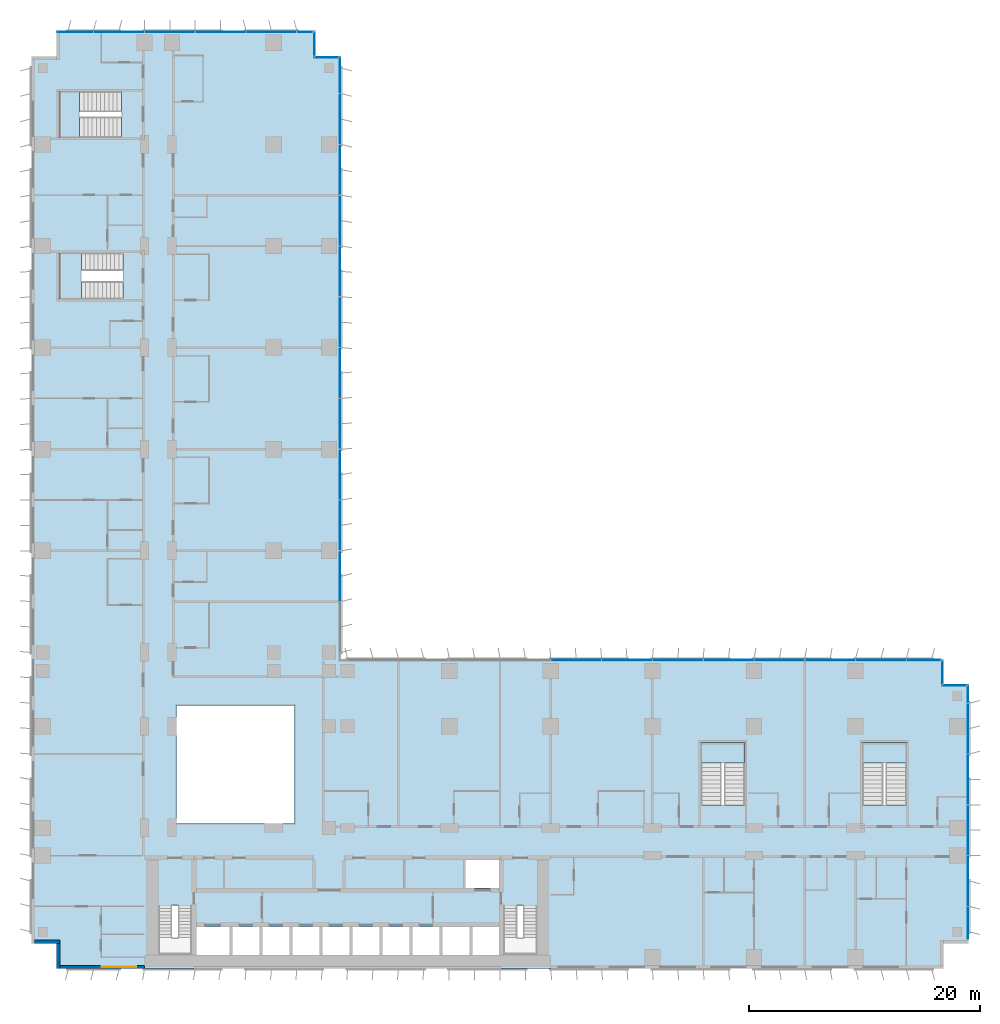
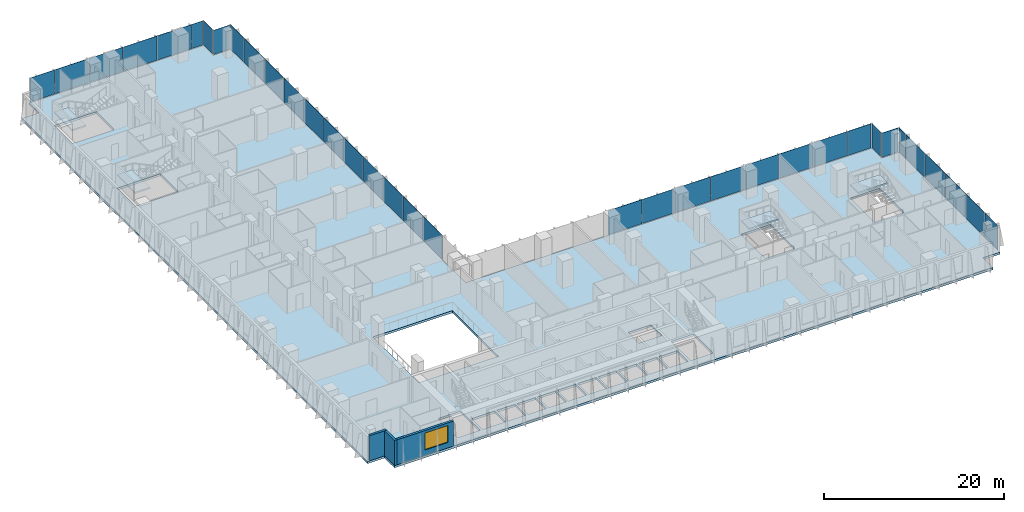
# One storey, part 11 of 24: 35 plates, 5 slabs, 3 walls, 1 window, 1 opening, 12 elements without a shape of their own.
"""IFC4 building model written with IfcOpenShell, lengths in metres."""

from ifc_helpers import new_model, si_unit, direction, frame, frame_2d, origin, origin_2d, place, context, subcontext, project, spatial, polyline, rectangle, outline, extrude, source, transform, mapped, material, layer, layer_set, type_object, element, fill, aggregate, save


model = new_model("IFC4")

# Units and contexts
model_context = context("Model", 3, precision=1e-05, world=origin(), true_north=direction((0.0, 1.0)))
body_context = subcontext(model_context, "Body", "Model", "MODEL_VIEW")
ifc_project = project(units=[si_unit("LENGTHUNIT", "METRE"), si_unit("AREAUNIT", "SQUARE_METRE"), si_unit("VOLUMEUNIT", "CUBIC_METRE"), si_unit("PLANEANGLEUNIT", "RADIAN"), si_unit("MASSUNIT", "GRAM", prefix="KILO")], contexts=[model_context])

# Site, building, storey
site_placement = place(None, origin())
site = spatial("IfcSite", under=ifc_project, at=site_placement, CompositionType="ELEMENT")
building_placement = place(site_placement, origin())
building = spatial("IfcBuilding", under=site, at=building_placement, Name="Kemantara Hotel Tower", CompositionType="ELEMENT")
storey_placement = place(building_placement, frame((0.0, 0.0, 76.0)))
storey = spatial("IfcBuildingStorey", under=building, at=storey_placement, Name="L17", CompositionType="ELEMENT", Elevation=76.0)

# Slab
ifc_material_1 = material(Name="Concrete fc 40 MPa", Category="concrete")
ifc_layer_1 = layer(ifc_material_1, 0.300048828125)
ifc_layer_set_1 = layer_set([ifc_layer_1], Name="Concrete fc 40 MPa")
slab_type_1 = type_object("IfcSlabType", Name="POST-TENSIONED FLAT PLATE 300", PredefinedType="FLOOR", material=ifc_layer_set_1)
slab_1_placement = place(storey_placement, frame((0.0, 0.0, -0.300048828125)))
element("IfcSlab", 1, at=slab_1_placement, inside=storey, type_object=slab_type_1, Name="FLOOR SLAB L17", PredefinedType="FLOOR", context=body_context, shape_type="SweptSolid", body=[
    extrude(outline(polyline([(0.0, 2.199951171875), (2.199951171875, 2.199951171875), (2.199951171875, 0.0), (79.0, 0.0), (79.0, 2.199951171875), (81.199951171875, 2.199951171875), (81.199951171875, 24.60009765625), (79.0, 24.60009765625), (79.0, 26.800048828125), (26.800048828125, 26.800048828125), (26.800048828125, 79.0), (24.60009765625, 79.0), (24.60009765625, 81.199951171875), (2.199951171875, 81.199951171875), (2.199951171875, 79.0), (0.0, 79.0), (0.0, 2.199951171875)]), holes=[polyline([(17.175048828125, 1.199951171875), (14.22509765625, 1.199951171875), (14.22509765625, 3.60009765625), (17.175048828125, 3.60009765625), (17.175048828125, 1.199951171875)]), polyline([(19.77490234375, 1.199951171875), (17.425048828125, 1.199951171875), (17.425048828125, 3.60009765625), (19.77490234375, 3.60009765625), (19.77490234375, 1.199951171875)]), polyline([(22.375, 1.199951171875), (20.02490234375, 1.199951171875), (20.02490234375, 3.60009765625), (22.375, 3.60009765625), (22.375, 1.199951171875)]), polyline([(24.97509765625, 1.199951171875), (22.625, 1.199951171875), (22.625, 3.60009765625), (24.97509765625, 3.60009765625), (24.97509765625, 1.199951171875)]), polyline([(27.574951171875, 1.199951171875), (25.22509765625, 1.199951171875), (25.22509765625, 3.60009765625), (27.574951171875, 3.60009765625), (27.574951171875, 1.199951171875)]), polyline([(11.0, 1.199951171875), (11.0, 5.49951171875), (13.89990234375, 5.49951171875), (13.89990234375, 1.199951171875), (11.0, 1.199951171875)]), polyline([(22.800048828125, 12.60009765625), (12.60009765625, 12.60009765625), (12.60009765625, 22.800048828125), (22.800048828125, 22.800048828125), (22.800048828125, 12.60009765625)]), polyline([(7.949462890625, 62.0), (7.949462890625, 58.0), (2.39990234375, 58.0), (2.39990234375, 62.0), (7.949462890625, 62.0)]), polyline([(7.79931640625, 76.0), (7.79931640625, 72.0), (2.39990234375, 72.0), (2.39990234375, 76.0), (7.79931640625, 76.0)]), polyline([(30.175048828125, 1.199951171875), (27.824951171875, 1.199951171875), (27.824951171875, 3.60009765625), (30.175048828125, 3.60009765625), (30.175048828125, 1.199951171875)]), polyline([(32.77490234375, 1.199951171875), (30.425048828125, 1.199951171875), (30.425048828125, 3.60009765625), (32.77490234375, 3.60009765625), (32.77490234375, 1.199951171875)]), polyline([(35.375, 1.199951171875), (33.02490234375, 1.199951171875), (33.02490234375, 3.60009765625), (35.375, 3.60009765625), (35.375, 1.199951171875)]), polyline([(37.97509765625, 1.199951171875), (35.625, 1.199951171875), (35.625, 3.60009765625), (37.97509765625, 3.60009765625), (37.97509765625, 1.199951171875)]), polyline([(40.574951171875, 1.199951171875), (38.22509765625, 1.199951171875), (38.22509765625, 3.60009765625), (40.574951171875, 3.60009765625), (40.574951171875, 1.199951171875)]), polyline([(40.89990234375, 1.199951171875), (40.89990234375, 5.49951171875), (43.800048828125, 5.49951171875), (43.800048828125, 1.199951171875), (40.89990234375, 1.199951171875)]), polyline([(40.574951171875, 7.0), (37.625, 7.0), (37.625, 9.39990234375), (40.574951171875, 9.39990234375), (40.574951171875, 7.0)]), polyline([(61.800048828125, 14.20068359375), (58.0, 14.20068359375), (58.0, 19.60009765625), (61.800048828125, 19.60009765625), (61.800048828125, 14.20068359375)]), polyline([(75.800048828125, 14.20068359375), (72.0, 14.20068359375), (72.0, 19.60009765625), (75.800048828125, 19.60009765625), (75.800048828125, 14.20068359375)])]), origin(), (0.0, 0.0, 1.0), 0.300048828125),
])

# Stair, slab
stair_type_1 = type_object("IfcStairType", Name="Stair 1800 wide 22 risers of 168 x 360 mm", PredefinedType="HALF_TURN_STAIR", material=ifc_material_1)
stair_1_placement = place(storey_placement, origin())
stair_1 = element("IfcStair", 2, at=stair_1_placement, inside=storey, type_object=stair_type_1, Name="L17 Exit stair ST3", PredefinedType="HALF_TURN_STAIR")
ifc_layer_2 = layer(ifc_material_1, 0.199951171875)
ifc_layer_set_2 = layer_set([ifc_layer_2], Name="Concrete fc 40 MPa")
slab_type_2 = type_object("IfcSlabType", Name="Stair landing 200 mm", PredefinedType="LANDING", material=ifc_layer_set_2)
slab_2_placement = place(storey_placement, frame((0.0, 0.0, 1.64990234375)))
slab_2 = element("IfcSlab", 3, at=slab_2_placement, type_object=slab_type_2, Name="ST3 landing 1", PredefinedType="LANDING", context=body_context, shape_type="SweptSolid", body=[
    extrude(outline(polyline([(61.800048828125, 17.800048828125), (61.800048828125, 19.60009765625), (58.0, 19.60009765625), (58.0, 17.800048828125), (61.800048828125, 17.800048828125)])), origin(), (0.0, 0.0, 1.0), 0.2001953125),
])
aggregate(stair_1, [slab_2])

stair_type_2 = type_object("IfcStairType", Name="Stair 1550 wide 22 risers of 168 x 360 mm", PredefinedType="HALF_TURN_STAIR", material=ifc_material_1)
stair_2_placement = place(storey_placement, origin())
stair_2 = element("IfcStair", 4, at=stair_2_placement, inside=storey, type_object=stair_type_2, Name="L17 Exit stair ST4", PredefinedType="HALF_TURN_STAIR")
slab_3_placement = place(storey_placement, frame((0.0, 0.0, 1.64990234375)))
slab_3 = element("IfcSlab", 5, at=slab_3_placement, type_object=slab_type_2, Name="ST4 landing 1", PredefinedType="LANDING", context=body_context, shape_type="SweptSolid", body=[
    extrude(outline(polyline([(4.35009765625, 62.0), (2.39990234375, 62.0), (2.39990234375, 58.0), (4.35009765625, 58.0), (4.35009765625, 62.0)])), origin(), (0.0, 0.0, 1.0), 0.2001953125),
])
aggregate(stair_2, [slab_3])

stair_3_placement = place(storey_placement, origin())
stair_3 = element("IfcStair", 6, at=stair_3_placement, inside=storey, type_object=stair_type_1, Name="L17 Exit stair ST5", PredefinedType="HALF_TURN_STAIR")
slab_4_placement = place(storey_placement, frame((0.0, 0.0, 1.64990234375)))
slab_4 = element("IfcSlab", 7, at=slab_4_placement, type_object=slab_type_2, Name="ST5 landing 1", PredefinedType="LANDING", context=body_context, shape_type="SweptSolid", body=[
    extrude(outline(polyline([(75.800048828125, 17.800048828125), (75.800048828125, 19.60009765625), (72.0, 19.60009765625), (72.0, 17.800048828125), (75.800048828125, 17.800048828125)])), origin(), (0.0, 0.0, 1.0), 0.2001953125),
])
aggregate(stair_3, [slab_4])

stair_4_placement = place(storey_placement, origin())
stair_4 = element("IfcStair", 8, at=stair_4_placement, inside=storey, type_object=stair_type_1, Name="L17 Exit stair ST6", PredefinedType="HALF_TURN_STAIR")
slab_5_placement = place(storey_placement, frame((0.0, 0.0, 1.64990234375)))
slab_5 = element("IfcSlab", 9, at=slab_5_placement, type_object=slab_type_2, Name="ST6 landing 1", PredefinedType="LANDING", context=body_context, shape_type="SweptSolid", body=[
    extrude(outline(polyline([(4.199951171875, 76.0), (2.39990234375, 76.0), (2.39990234375, 72.0), (4.199951171875, 72.0), (4.199951171875, 76.0)])), origin(), (0.0, 0.0, 1.0), 0.2001953125),
])
aggregate(stair_4, [slab_5])

# Curtain wall, plates
ifc_material_2 = material(Name="Low-E tinted double insulated glass 36 mm", Category="glass")
curtain_wall_type = type_object("IfcCurtainWallType", Name="TOWER CURTAIN WALL, FRONT FACES", PredefinedType="USERDEFINED", material=ifc_material_2)
curtain_wall_1_placement = place(storey_placement, origin())
curtain_wall_1 = element("IfcCurtainWall", 10, at=curtain_wall_1_placement, inside=storey, type_object=curtain_wall_type, Name="CW4 L17 T1-R04-1", ObjectType="TOWER CURTAIN WALL, FRONT FACES", PredefinedType="USERDEFINED")
ifc_layer_3 = layer(ifc_material_2, 0.035888671875)
ifc_layer_set_3 = layer_set([ifc_layer_3], Name="Low-E tinted double insulated glass 36 mm")
plate_type = type_object("IfcPlateType", Name="TOWER CURTAIN WALL, FRONT FACES PANEL", PredefinedType="CURTAIN_PANEL", material=ifc_layer_set_3)
shared_shape_1 = source(origin(), body_context, "Body", "SweptSolid", [
    extrude(rectangle(XDim=2.81005859375, YDim=0.035888671875, at=origin_2d()), origin(), (0.0, 0.0, 1.0), 3.280029296875),
])
plate_1_placement = place(storey_placement, frame((81.125, 3.965087890625, 0.1201171875), z_axis=(0.0, 0.0, 1.0), x_axis=(0.0, 1.0, 0.0)))
plate_1 = element("IfcPlate", 11, at=plate_1_placement, type_object=plate_type, Name="CW4 glass panel T1-R04-1.1", PredefinedType="CURTAIN_PANEL", context=body_context, shape_type="MappedRepresentation", body=[
    mapped(shared_shape_1, transform((0.0, 0.0, 0.0))),
])
shared_shape_2 = source(origin(), body_context, "Body", "SweptSolid", [
    extrude(rectangle(XDim=4.340087890625, YDim=0.035888671875, at=origin_2d()), origin(), (0.0, 0.0, 1.0), 3.280029296875),
])
plate_2_placement = place(storey_placement, frame((81.125, 7.60009765625, 0.1201171875), z_axis=(0.0, 0.0, 1.0), x_axis=(0.0, 1.0, 0.0)))
plate_2 = element("IfcPlate", 12, at=plate_2_placement, type_object=plate_type, Name="CW4 glass panel T1-R04-1.2", PredefinedType="CURTAIN_PANEL", context=body_context, shape_type="MappedRepresentation", body=[
    mapped(shared_shape_2, transform((0.0, 0.0, 0.0))),
])
plate_3_placement = place(storey_placement, frame((81.125, 12.0, 0.1201171875), z_axis=(0.0, 0.0, 1.0), x_axis=(0.0, 1.0, 0.0)))
plate_3 = element("IfcPlate", 13, at=plate_3_placement, type_object=plate_type, Name="CW4 glass panel T1-R04-1.3", PredefinedType="CURTAIN_PANEL", context=body_context, shape_type="MappedRepresentation", body=[
    mapped(shared_shape_2, transform((0.0, 0.0, 0.0))),
])
plate_4_placement = place(storey_placement, frame((81.125, 16.39990234375, 0.1201171875), z_axis=(0.0, 0.0, 1.0), x_axis=(0.0, 1.0, 0.0)))
plate_4 = element("IfcPlate", 14, at=plate_4_placement, type_object=plate_type, Name="CW4 glass panel T1-R04-1.4", PredefinedType="CURTAIN_PANEL", context=body_context, shape_type="MappedRepresentation", body=[
    mapped(shared_shape_2, transform((0.0, 0.0, 0.0))),
])
plate_5_placement = place(storey_placement, frame((81.125, 20.800048828125, 0.1201171875), z_axis=(0.0, 0.0, 1.0), x_axis=(0.0, 1.0, 0.0)))
plate_5 = element("IfcPlate", 15, at=plate_5_placement, type_object=plate_type, Name="CW4 glass panel T1-R04-1.5", PredefinedType="CURTAIN_PANEL", context=body_context, shape_type="MappedRepresentation", body=[
    mapped(shared_shape_2, transform((0.0, 0.0, 0.0))),
])

curtain_wall_2_placement = place(storey_placement, origin())
curtain_wall_2 = element("IfcCurtainWall", 16, at=curtain_wall_2_placement, inside=storey, type_object=curtain_wall_type, Name="CW4 L17 T1-R07-1", ObjectType="TOWER CURTAIN WALL, FRONT FACES", PredefinedType="USERDEFINED")
plate_6_placement = place(storey_placement, frame((73.60009765625, 26.72509765625, 0.1201171875), z_axis=(0.0, 0.0, 1.0), x_axis=(-1.0, 0.0, 0.0)))
plate_6 = element("IfcPlate", 17, at=plate_6_placement, type_object=plate_type, Name="CW4 glass panel T1-R07-1.2", PredefinedType="CURTAIN_PANEL", context=body_context, shape_type="MappedRepresentation", body=[
    mapped(shared_shape_2, transform((0.0, 0.0, 0.0))),
])
plate_7_placement = place(storey_placement, frame((69.199951171875, 26.72509765625, 0.1201171875), z_axis=(0.0, 0.0, 1.0), x_axis=(-1.0, 0.0, 0.0)))
plate_7 = element("IfcPlate", 18, at=plate_7_placement, type_object=plate_type, Name="CW4 glass panel T1-R07-1.3", PredefinedType="CURTAIN_PANEL", context=body_context, shape_type="MappedRepresentation", body=[
    mapped(shared_shape_2, transform((0.0, 0.0, 0.0))),
])
plate_8_placement = place(storey_placement, frame((64.800048828125, 26.72509765625, 0.1201171875), z_axis=(0.0, 0.0, 1.0), x_axis=(-1.0, 0.0, 0.0)))
plate_8 = element("IfcPlate", 19, at=plate_8_placement, type_object=plate_type, Name="CW4 glass panel T1-R07-1.4", PredefinedType="CURTAIN_PANEL", context=body_context, shape_type="MappedRepresentation", body=[
    mapped(shared_shape_2, transform((0.0, 0.0, 0.0))),
])
plate_9_placement = place(storey_placement, frame((60.39990234375, 26.72509765625, 0.1201171875), z_axis=(0.0, 0.0, 1.0), x_axis=(-1.0, 0.0, 0.0)))
plate_9 = element("IfcPlate", 20, at=plate_9_placement, type_object=plate_type, Name="CW4 glass panel T1-R07-1.5", PredefinedType="CURTAIN_PANEL", context=body_context, shape_type="MappedRepresentation", body=[
    mapped(shared_shape_2, transform((0.0, 0.0, 0.0))),
])
plate_10_placement = place(storey_placement, frame((56.0, 26.72509765625, 0.1201171875), z_axis=(0.0, 0.0, 1.0), x_axis=(-1.0, 0.0, 0.0)))
plate_10 = element("IfcPlate", 21, at=plate_10_placement, type_object=plate_type, Name="CW4 glass panel T1-R07-1.6", PredefinedType="CURTAIN_PANEL", context=body_context, shape_type="MappedRepresentation", body=[
    mapped(shared_shape_2, transform((0.0, 0.0, 0.0))),
])
plate_11_placement = place(storey_placement, frame((51.60009765625, 26.72509765625, 0.1201171875), z_axis=(0.0, 0.0, 1.0), x_axis=(-1.0, 0.0, 0.0)))
plate_11 = element("IfcPlate", 22, at=plate_11_placement, type_object=plate_type, Name="CW4 glass panel T1-R07-1.7", PredefinedType="CURTAIN_PANEL", context=body_context, shape_type="MappedRepresentation", body=[
    mapped(shared_shape_2, transform((0.0, 0.0, 0.0))),
])
plate_12_placement = place(storey_placement, frame((47.199951171875, 26.72509765625, 0.1201171875), z_axis=(0.0, 0.0, 1.0), x_axis=(-1.0, 0.0, 0.0)))
plate_12 = element("IfcPlate", 23, at=plate_12_placement, type_object=plate_type, Name="CW4 glass panel T1-R07-1.8", PredefinedType="CURTAIN_PANEL", context=body_context, shape_type="MappedRepresentation", body=[
    mapped(shared_shape_2, transform((0.0, 0.0, 0.0))),
])

curtain_wall_3_placement = place(storey_placement, origin())
curtain_wall_3 = element("IfcCurtainWall", 24, at=curtain_wall_3_placement, inside=storey, type_object=curtain_wall_type, Name="CW4 L17 T1-R08-1", ObjectType="TOWER CURTAIN WALL, FRONT FACES", PredefinedType="USERDEFINED")
plate_13_placement = place(storey_placement, frame((26.72509765625, 34.0, 0.1201171875), z_axis=(0.0, 0.0, 1.0), x_axis=(0.0, 1.0, 0.0)))
plate_13 = element("IfcPlate", 25, at=plate_13_placement, type_object=plate_type, Name="CW4 glass panel T1-R08-1.3", PredefinedType="CURTAIN_PANEL", context=body_context, shape_type="MappedRepresentation", body=[
    mapped(shared_shape_2, transform((0.0, 0.0, 0.0))),
])
plate_14_placement = place(storey_placement, frame((26.72509765625, 38.39990234375, 0.1201171875), z_axis=(0.0, 0.0, 1.0), x_axis=(0.0, 1.0, 0.0)))
plate_14 = element("IfcPlate", 26, at=plate_14_placement, type_object=plate_type, Name="CW4 glass panel T1-R08-1.4", PredefinedType="CURTAIN_PANEL", context=body_context, shape_type="MappedRepresentation", body=[
    mapped(shared_shape_2, transform((0.0, 0.0, 0.0))),
])
plate_15_placement = place(storey_placement, frame((26.72509765625, 42.800048828125, 0.1201171875), z_axis=(0.0, 0.0, 1.0), x_axis=(0.0, 1.0, 0.0)))
plate_15 = element("IfcPlate", 27, at=plate_15_placement, type_object=plate_type, Name="CW4 glass panel T1-R08-1.5", PredefinedType="CURTAIN_PANEL", context=body_context, shape_type="MappedRepresentation", body=[
    mapped(shared_shape_2, transform((0.0, 0.0, 0.0))),
])
plate_16_placement = place(storey_placement, frame((26.72509765625, 47.199951171875, 0.1201171875), z_axis=(0.0, 0.0, 1.0), x_axis=(0.0, 1.0, 0.0)))
plate_16 = element("IfcPlate", 28, at=plate_16_placement, type_object=plate_type, Name="CW4 glass panel T1-R08-1.6", PredefinedType="CURTAIN_PANEL", context=body_context, shape_type="MappedRepresentation", body=[
    mapped(shared_shape_2, transform((0.0, 0.0, 0.0))),
])
plate_17_placement = place(storey_placement, frame((26.72509765625, 51.60009765625, 0.1201171875), z_axis=(0.0, 0.0, 1.0), x_axis=(0.0, 1.0, 0.0)))
plate_17 = element("IfcPlate", 29, at=plate_17_placement, type_object=plate_type, Name="CW4 glass panel T1-R08-1.7", PredefinedType="CURTAIN_PANEL", context=body_context, shape_type="MappedRepresentation", body=[
    mapped(shared_shape_2, transform((0.0, 0.0, 0.0))),
])
plate_18_placement = place(storey_placement, frame((26.72509765625, 56.0, 0.1201171875), z_axis=(0.0, 0.0, 1.0), x_axis=(0.0, 1.0, 0.0)))
plate_18 = element("IfcPlate", 30, at=plate_18_placement, type_object=plate_type, Name="CW4 glass panel T1-R08-1.8", PredefinedType="CURTAIN_PANEL", context=body_context, shape_type="MappedRepresentation", body=[
    mapped(shared_shape_2, transform((0.0, 0.0, 0.0))),
])
plate_19_placement = place(storey_placement, frame((26.72509765625, 60.39990234375, 0.1201171875), z_axis=(0.0, 0.0, 1.0), x_axis=(0.0, 1.0, 0.0)))
plate_19 = element("IfcPlate", 31, at=plate_19_placement, type_object=plate_type, Name="CW4 glass panel T1-R08-1.9", PredefinedType="CURTAIN_PANEL", context=body_context, shape_type="MappedRepresentation", body=[
    mapped(shared_shape_2, transform((0.0, 0.0, 0.0))),
])
plate_20_placement = place(storey_placement, frame((26.72509765625, 64.800048828125, 0.1201171875), z_axis=(0.0, 0.0, 1.0), x_axis=(0.0, 1.0, 0.0)))
plate_20 = element("IfcPlate", 32, at=plate_20_placement, type_object=plate_type, Name="CW4 glass panel T1-R08-1.10", PredefinedType="CURTAIN_PANEL", context=body_context, shape_type="MappedRepresentation", body=[
    mapped(shared_shape_2, transform((0.0, 0.0, 0.0))),
])
plate_21_placement = place(storey_placement, frame((26.72509765625, 69.199951171875, 0.1201171875), z_axis=(0.0, 0.0, 1.0), x_axis=(0.0, 1.0, 0.0)))
plate_21 = element("IfcPlate", 33, at=plate_21_placement, type_object=plate_type, Name="CW4 glass panel T1-R08-1.11", PredefinedType="CURTAIN_PANEL", context=body_context, shape_type="MappedRepresentation", body=[
    mapped(shared_shape_2, transform((0.0, 0.0, 0.0))),
])
plate_22_placement = place(storey_placement, frame((26.72509765625, 73.60009765625, 0.1201171875), z_axis=(0.0, 0.0, 1.0), x_axis=(0.0, 1.0, 0.0)))
plate_22 = element("IfcPlate", 34, at=plate_22_placement, type_object=plate_type, Name="CW4 glass panel T1-R08-1.12", PredefinedType="CURTAIN_PANEL", context=body_context, shape_type="MappedRepresentation", body=[
    mapped(shared_shape_2, transform((0.0, 0.0, 0.0))),
])

curtain_wall_4_placement = place(storey_placement, origin())
curtain_wall_4 = element("IfcCurtainWall", 35, at=curtain_wall_4_placement, inside=storey, type_object=curtain_wall_type, Name="CW4 L17 T1-R11-1", ObjectType="TOWER CURTAIN WALL, FRONT FACES", PredefinedType="USERDEFINED")
plate_23_placement = place(storey_placement, frame((20.800048828125, 81.125, 0.1201171875), z_axis=(0.0, 0.0, 1.0), x_axis=(-1.0, 0.0, 0.0)))
plate_23 = element("IfcPlate", 36, at=plate_23_placement, type_object=plate_type, Name="CW4 glass panel T1-R11-1.2", PredefinedType="CURTAIN_PANEL", context=body_context, shape_type="MappedRepresentation", body=[
    mapped(shared_shape_2, transform((0.0, 0.0, 0.0))),
])
plate_24_placement = place(storey_placement, frame((16.39990234375, 81.125, 0.1201171875), z_axis=(0.0, 0.0, 1.0), x_axis=(-1.0, 0.0, 0.0)))
plate_24 = element("IfcPlate", 37, at=plate_24_placement, type_object=plate_type, Name="CW4 glass panel T1-R11-1.3", PredefinedType="CURTAIN_PANEL", context=body_context, shape_type="MappedRepresentation", body=[
    mapped(shared_shape_2, transform((0.0, 0.0, 0.0))),
])
plate_25_placement = place(storey_placement, frame((12.0, 81.125, 0.1201171875), z_axis=(0.0, 0.0, 1.0), x_axis=(-1.0, 0.0, 0.0)))
plate_25 = element("IfcPlate", 38, at=plate_25_placement, type_object=plate_type, Name="CW4 glass panel T1-R11-1.4", PredefinedType="CURTAIN_PANEL", context=body_context, shape_type="MappedRepresentation", body=[
    mapped(shared_shape_2, transform((0.0, 0.0, 0.0))),
])
plate_26_placement = place(storey_placement, frame((7.60009765625, 81.125, 0.1201171875), z_axis=(0.0, 0.0, 1.0), x_axis=(-1.0, 0.0, 0.0)))
plate_26 = element("IfcPlate", 39, at=plate_26_placement, type_object=plate_type, Name="CW4 glass panel T1-R11-1.5", PredefinedType="CURTAIN_PANEL", context=body_context, shape_type="MappedRepresentation", body=[
    mapped(shared_shape_2, transform((0.0, 0.0, 0.0))),
])

# Plate
shared_shape_3 = source(origin(), body_context, "Body", "SweptSolid", [
    extrude(rectangle(XDim=1.510009765625, YDim=0.035888671875, at=origin_2d()), origin(), (0.0, 0.0, 1.0), 3.280029296875),
])
plate_27_placement = place(storey_placement, frame((81.125, 23.784912109375, 0.1201171875), z_axis=(0.0, 0.0, 1.0), x_axis=(0.0, 1.0, 0.0)))
plate_27 = element("IfcPlate", 40, at=plate_27_placement, type_object=plate_type, Name="CW4 glass panel T1-R04-1.6", PredefinedType="CURTAIN_PANEL", context=body_context, shape_type="MappedRepresentation", body=[
    mapped(shared_shape_3, transform((0.0, 0.0, 0.0))),
])

aggregate(curtain_wall_1, [plate_1, plate_2, plate_3, plate_4, plate_5, plate_27])

shared_shape_4 = source(origin(), body_context, "Body", "SweptSolid", [
    extrude(rectangle(XDim=1.360107421875, YDim=0.035888671875, at=origin_2d()), origin(), (0.0, 0.0, 1.0), 3.280029296875),
])
plate_28_placement = place(storey_placement, frame((23.7099609375, 81.125, 0.1201171875), z_axis=(0.0, 0.0, 1.0), x_axis=(-1.0, 0.0, 0.0)))
plate_28 = element("IfcPlate", 41, at=plate_28_placement, type_object=plate_type, Name="CW4 glass panel T1-R11-1.1", PredefinedType="CURTAIN_PANEL", context=body_context, shape_type="MappedRepresentation", body=[
    mapped(shared_shape_4, transform((0.0, 0.0, 0.0))),
])

shared_shape_5 = source(origin(), body_context, "Body", "SweptSolid", [
    extrude(rectangle(XDim=3.110107421875, YDim=0.035888671875, at=origin_2d()), origin(), (0.0, 0.0, 1.0), 3.280029296875),
])
plate_29_placement = place(storey_placement, frame((26.72509765625, 77.385009765625, 0.1201171875), z_axis=(0.0, 0.0, 1.0), x_axis=(0.0, 1.0, 0.0)))
plate_29 = element("IfcPlate", 42, at=plate_29_placement, type_object=plate_type, Name="CW4 glass panel T1-R08-1.13", PredefinedType="CURTAIN_PANEL", context=body_context, shape_type="MappedRepresentation", body=[
    mapped(shared_shape_5, transform((0.0, 0.0, 0.0))),
])

aggregate(curtain_wall_3, [plate_13, plate_14, plate_15, plate_16, plate_17, plate_18, plate_19, plate_20, plate_21, plate_22, plate_29])

plate_30_placement = place(storey_placement, frame((3.81494140625, 81.125, 0.1201171875), z_axis=(0.0, 0.0, 1.0), x_axis=(-1.0, 0.0, 0.0)))
plate_30 = element("IfcPlate", 43, at=plate_30_placement, type_object=plate_type, Name="CW4 glass panel T1-R11-1.6", PredefinedType="CURTAIN_PANEL", context=body_context, shape_type="MappedRepresentation", body=[
    mapped(shared_shape_5, transform((0.0, 0.0, 0.0))),
])

aggregate(curtain_wall_4, [plate_28, plate_23, plate_24, plate_25, plate_26, plate_30])

# Curtain wall, plate
curtain_wall_5_placement = place(storey_placement, origin())
curtain_wall_5 = element("IfcCurtainWall", 44, at=curtain_wall_5_placement, inside=storey, type_object=curtain_wall_type, Name="CW4 L17 T1-R05-1", ObjectType="TOWER CURTAIN WALL, FRONT FACES", PredefinedType="USERDEFINED")
shared_shape_6 = source(origin(), body_context, "Body", "SweptSolid", [
    extrude(rectangle(XDim=2.080078125, YDim=0.035888671875, at=origin_2d()), origin(), (0.0, 0.0, 1.0), 3.280029296875),
])
plate_31_placement = place(storey_placement, frame((79.949951171875, 24.52490234375, 0.1201171875), z_axis=(0.0, 0.0, 1.0), x_axis=(-1.0, 0.0, 0.0)))
plate_31 = element("IfcPlate", 45, at=plate_31_placement, type_object=plate_type, Name="CW4 glass panel T1-R05-1.1", PredefinedType="CURTAIN_PANEL", context=body_context, shape_type="MappedRepresentation", body=[
    mapped(shared_shape_6, transform((0.0, 0.0, 0.0))),
])
aggregate(curtain_wall_5, [plate_31])

curtain_wall_6_placement = place(storey_placement, origin())
curtain_wall_6 = element("IfcCurtainWall", 46, at=curtain_wall_6_placement, inside=storey, type_object=curtain_wall_type, Name="CW4 L17 T1-R06-1", ObjectType="TOWER CURTAIN WALL, FRONT FACES", PredefinedType="USERDEFINED")
plate_32_placement = place(storey_placement, frame((78.925048828125, 25.699951171875, 0.1201171875), z_axis=(0.0, 0.0, 1.0), x_axis=(0.0, 1.0, 0.0)))
plate_32 = element("IfcPlate", 47, at=plate_32_placement, type_object=plate_type, Name="CW4 glass panel T1-R06-1.1", PredefinedType="CURTAIN_PANEL", context=body_context, shape_type="MappedRepresentation", body=[
    mapped(shared_shape_6, transform((0.0, 0.0, 0.0))),
])
aggregate(curtain_wall_6, [plate_32])

curtain_wall_7_placement = place(storey_placement, origin())
curtain_wall_7 = element("IfcCurtainWall", 48, at=curtain_wall_7_placement, inside=storey, type_object=curtain_wall_type, Name="CW4 L17 T1-R09-1", ObjectType="TOWER CURTAIN WALL, FRONT FACES", PredefinedType="USERDEFINED")
plate_33_placement = place(storey_placement, frame((25.550048828125, 78.925048828125, 0.1201171875), z_axis=(0.0, 0.0, 1.0), x_axis=(-1.0, 0.0, 0.0)))
plate_33 = element("IfcPlate", 49, at=plate_33_placement, type_object=plate_type, Name="CW4 glass panel T1-R09-1.1", PredefinedType="CURTAIN_PANEL", context=body_context, shape_type="MappedRepresentation", body=[
    mapped(shared_shape_6, transform((0.0, 0.0, 0.0))),
])
aggregate(curtain_wall_7, [plate_33])

curtain_wall_8_placement = place(storey_placement, origin())
curtain_wall_8 = element("IfcCurtainWall", 50, at=curtain_wall_8_placement, inside=storey, type_object=curtain_wall_type, Name="CW4 L17 T1-R10-1", ObjectType="TOWER CURTAIN WALL, FRONT FACES", PredefinedType="USERDEFINED")
plate_34_placement = place(storey_placement, frame((24.52490234375, 80.10009765625, 0.1201171875), z_axis=(0.0, 0.0, 1.0), x_axis=(0.0, 1.0, 0.0)))
plate_34 = element("IfcPlate", 51, at=plate_34_placement, type_object=plate_type, Name="CW4 glass panel T1-R10-1.1", PredefinedType="CURTAIN_PANEL", context=body_context, shape_type="MappedRepresentation", body=[
    mapped(shared_shape_6, transform((0.0, 0.0, 0.0))),
])
aggregate(curtain_wall_8, [plate_34])

# Plate
shared_shape_7 = source(origin(), body_context, "Body", "SweptSolid", [
    extrude(rectangle(XDim=2.9599609375, YDim=0.035888671875, at=origin_2d()), origin(), (0.0, 0.0, 1.0), 3.280029296875),
])
plate_35_placement = place(storey_placement, frame((77.31005859375, 26.72509765625, 0.1201171875), z_axis=(0.0, 0.0, 1.0), x_axis=(-1.0, 0.0, 0.0)))
plate_35 = element("IfcPlate", 52, at=plate_35_placement, type_object=plate_type, Name="CW4 glass panel T1-R07-1.1", PredefinedType="CURTAIN_PANEL", context=body_context, shape_type="MappedRepresentation", body=[
    mapped(shared_shape_7, transform((0.0, 0.0, 0.0))),
])

aggregate(curtain_wall_2, [plate_35, plate_6, plate_7, plate_8, plate_9, plate_10, plate_11, plate_12])

# Wall
ifc_material_3 = material(Name="Bronze anodised aluminium cladding on insulated steel stud wall", Category="steel")
ifc_layer_4 = layer(ifc_material_3, 0.300048828125)
ifc_layer_set_4 = layer_set([ifc_layer_4], Name="Bronze anodised aluminium cladding on insulated steel stud wall")
wall_type = type_object("IfcWallType", Name="BRONZE METAL-CLAD EXTERNAL WALL 300", PredefinedType="STANDARD", material=ifc_layer_set_4)
wall_1_placement = place(storey_placement, frame((2.35009765625, 2.199951171875, 0.0), z_axis=(0.0, 0.0, 1.0), x_axis=(0.0, -1.0, 0.0)))
element("IfcWall", 53, at=wall_1_placement, inside=storey, type_object=wall_type, Name="EXTERNAL WALL L17 T1-R00", PredefinedType="STANDARD", context=body_context, shape_type="SweptSolid", body=[
    extrude(rectangle(XDim=2.199951171875, YDim=0.300048828125, at=frame_2d((1.10009765625, 0.0))), origin(), (0.0, 0.0, 1.0), 3.39990234375),
])

# Wall, opening, window
wall_2_placement = place(storey_placement, frame((2.5, 0.14990234375, 0.0), z_axis=(0.0, 0.0, 1.0), x_axis=(1.0, 0.0, 0.0)))
wall_2 = element("IfcWall", 54, at=wall_2_placement, inside=storey, type_object=wall_type, Name="EXTERNAL WALL L17 T1-R01", PredefinedType="STANDARD", context=body_context, shape_type="SweptSolid", body=[
    extrude(rectangle(XDim=7.300048828125, YDim=0.300048828125, at=frame_2d((3.64990234375, 0.0))), origin(), (0.0, 0.0, 1.0), 3.39990234375),
])
opening_placement = place(wall_2_placement, frame((3.60009765625, 0.0, 0.75)))
opening = element("IfcOpeningElement", 55, at=opening_placement, cuts=wall_2, Name="Opening W1", PredefinedType="OPENING", context=body_context, shape_type="SweptSolid", body=[
    extrude(rectangle(XDim=3.0, YDim=2.300048828125, at=frame_2d((1.5, 1.14990234375))), frame((0.0, 0.159912109375, 0.0), z_axis=(0.0, -1.0, 0.0), x_axis=(1.0, 0.0, 0.0)), (0.0, 0.0, 1.0), 0.320068359375),
])
ifc_material_4 = material(Name="Low-E tinted double insulated glass in bronze anodised aluminium frame", Category="aluminium")
window_type = type_object("IfcWindowType", Name="CHICAGO WINDOW, TRIPLE PANEL 3000x2300", PartitioningType="TRIPLE_PANEL_VERTICAL", PredefinedType="WINDOW", material=ifc_material_4)
window_placement = place(opening_placement, origin())
window = element("IfcWindow", 56, at=window_placement, inside=storey, type_object=window_type, Name="CHICAGO WINDOW L17 T1-R01-54", OverallHeight=2.300048828125, OverallWidth=3.0, PartitioningType="SINGLE_PANEL", PredefinedType="WINDOW", context=body_context, shape_type="SweptSolid", body=[
    extrude(rectangle(XDim=3.0, YDim=2.300048828125, at=frame_2d((1.5, 1.14990234375))), frame((0.0, 0.030029296875, 0.0), z_axis=(0.0, -1.0, 0.0), x_axis=(1.0, 0.0, 0.0)), (0.0, 0.0, 1.0), 0.06005859375),
])
fill(opening, window)

# Wall
wall_3_placement = place(storey_placement, frame((0.300048828125, 2.35009765625, 0.0), z_axis=(0.0, 0.0, 1.0), x_axis=(1.0, 0.0, 0.0)))
element("IfcWall", 57, at=wall_3_placement, inside=storey, type_object=wall_type, Name="EXTERNAL WALL L17 T1-R15", PredefinedType="STANDARD", context=body_context, shape_type="SweptSolid", body=[
    extrude(rectangle(XDim=2.199951171875, YDim=0.300048828125, at=frame_2d((1.10009765625, 0.0))), origin(), (0.0, 0.0, 1.0), 3.39990234375),
])

save(model, "model.ifc")
